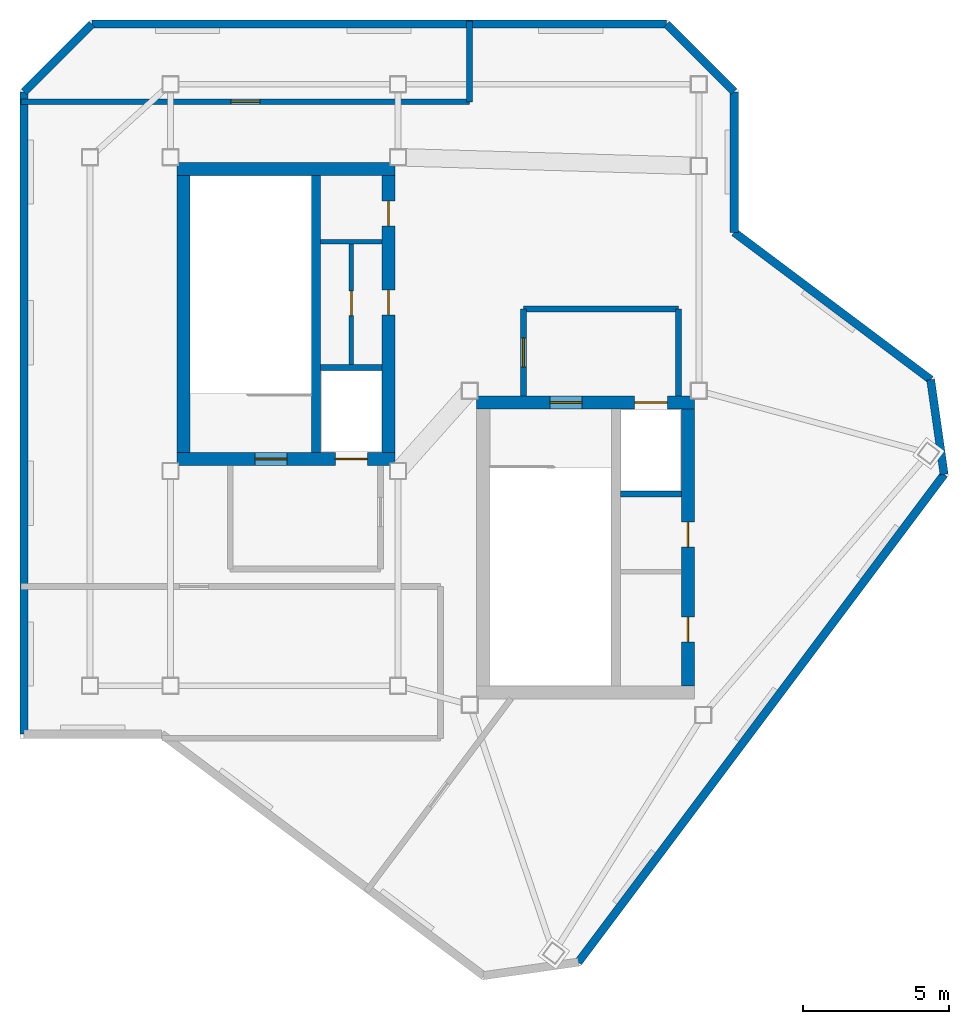
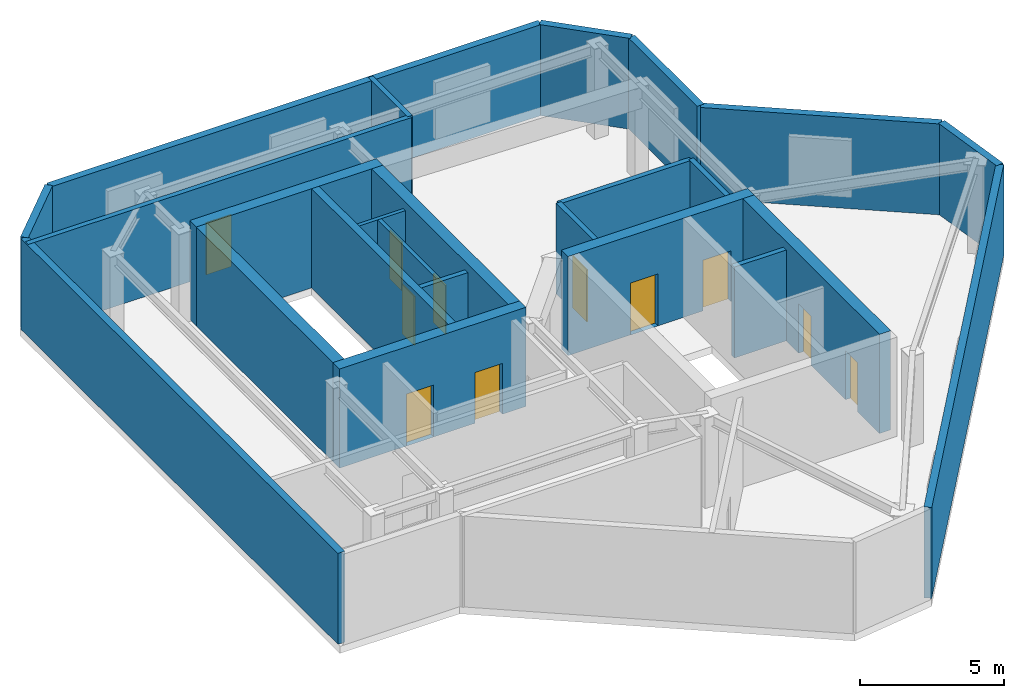
# One storey, part 2 of 3: 24 walls, 11 doors, 11 openings.
"""IFC4 building model written with IfcOpenShell, lengths in metres."""

from ifc_helpers import new_model, si_unit, direction, frame, frame_2d, origin, place, context, subcontext, project, spatial, rectangle, extrude, material, layer, layer_set, type_object, element, fill, save


model = new_model("IFC4")

# Units and contexts
model_context = context("Model", 3, precision=1e-05, world=origin(), true_north=direction((0.0, 1.0)))
body_context = subcontext(model_context, "Body", "Model", "MODEL_VIEW")
ifc_project = project(units=[si_unit("LENGTHUNIT", "METRE"), si_unit("AREAUNIT", "SQUARE_METRE"), si_unit("VOLUMEUNIT", "CUBIC_METRE"), si_unit("PLANEANGLEUNIT", "RADIAN"), si_unit("MASSUNIT", "GRAM", prefix="KILO")], contexts=[model_context])

# Site, building, storey
site_placement = place(None, origin())
site = spatial("IfcSite", under=ifc_project, at=site_placement, CompositionType="ELEMENT")
building_placement = place(site_placement, origin())
building = spatial("IfcBuilding", under=site, at=building_placement, Name="Hatsunagi Terrace Concourse", CompositionType="ELEMENT")
storey_placement = place(building_placement, frame((0.0, 0.0, 289.949951171875)))
storey = spatial("IfcBuildingStorey", under=building, at=storey_placement, Name="L76", CompositionType="ELEMENT", Elevation=289.949951171875)

# Wall, openings, doors
ifc_material_1 = material(Name="Concrete Fc42", Category="concrete")
ifc_layer_1 = layer(ifc_material_1, 0.449951171875)
ifc_layer_set_1 = layer_set([ifc_layer_1], Name="CoreShearWall_Fc42_450")
wall_type_1 = type_object("IfcWallType", Name="CoreShearWall_Fc42_450", PredefinedType="SHEAR", material=ifc_layer_set_1)
wall_1_placement = place(storey_placement, frame((25.77001953125, 32.965087890625, 0.0), z_axis=(0.0, 0.0, 1.0), x_axis=(1.0, 0.0, 0.0)))
wall_1 = element("IfcWall", 1, at=wall_1_placement, inside=storey, type_object=wall_type_1, Name="Core A Shear Wall S L76", PredefinedType="SHEAR", context=body_context, shape_type="SweptSolid", body=[
    extrude(rectangle(XDim=7.47998046875, YDim=0.449951171875, at=frame_2d((3.739990234375, 0.0))), origin(), (0.0, 0.0, 1.0), 4.199951171875),
])
opening_1_placement = place(wall_1_placement, frame((2.679931640625, 0.0, 0.0)))
opening_1 = element("IfcOpeningElement", 2, at=opening_1_placement, cuts=wall_1, Name="Opening DR-110S", PredefinedType="OPENING", context=body_context, shape_type="SweptSolid", body=[
    extrude(rectangle(XDim=1.10009765625, YDim=2.199951171875, at=frame_2d((0.550048828125, 1.10009765625))), frame((0.0, 0.23486328125, 0.0), z_axis=(0.0, -1.0, 0.0), x_axis=(1.0, 0.0, 0.0)), (0.0, 0.0, 1.0), 0.469970703125),
])
opening_2_placement = place(wall_1_placement, frame((5.429931640625, 0.0, 0.0)))
opening_2 = element("IfcOpeningElement", 3, at=opening_2_placement, cuts=wall_1, Name="Opening LD-01", PredefinedType="OPENING", context=body_context, shape_type="SweptSolid", body=[
    extrude(rectangle(XDim=1.10009765625, YDim=2.14990234375, at=frame_2d((0.550048828125, 1.074951171875))), frame((0.0, 0.23486328125, 0.0), z_axis=(0.0, -1.0, 0.0), x_axis=(1.0, 0.0, 0.0)), (0.0, 0.0, 1.0), 0.469970703125),
])
ifc_material_2 = material(Name="Stainless steel", Category="steel")
door_type_1 = type_object("IfcDoorType", Name="LiftLandingDoor_LD01", OperationType="SLIDING_TO_LEFT", PredefinedType="USERDEFINED", material=ifc_material_2)
door_1_placement = place(opening_2_placement, origin())
door_1 = element("IfcDoor", 4, at=door_1_placement, inside=storey, type_object=door_type_1, Name="Lift landing door FF-01 L76", ObjectType="SLIDING_LANDING_DOOR", OperationType="SLIDING_TO_LEFT", OverallHeight=2.14990234375, OverallWidth=1.10009765625, PredefinedType="USERDEFINED", context=body_context, shape_type="SweptSolid", body=[
    extrude(rectangle(XDim=1.10009765625, YDim=2.14990234375, at=frame_2d((0.550048828125, 1.074951171875))), frame((0.0, 0.02490234375, 0.0), z_axis=(0.0, -1.0, 0.0), x_axis=(1.0, 0.0, 0.0)), (0.0, 0.0, 1.0), 0.050048828125),
])
fill(opening_2, door_1)
ifc_material_3 = material(Name="Painted steel", Category="steel")
door_type_2 = type_object("IfcDoorType", Name="StairFireDoor_EI60_1100", OperationType="NOTDEFINED", PredefinedType="DOOR", material=ifc_material_3)
door_2_placement = place(opening_1_placement, origin())
door_2 = element("IfcDoor", 5, at=door_2_placement, inside=storey, type_object=door_type_2, Name="Stair ST-A Exit Door L76", OperationType="SINGLE_SWING_LEFT", OverallHeight=2.199951171875, OverallWidth=1.10009765625, PredefinedType="DOOR", context=body_context, shape_type="SweptSolid", body=[
    extrude(rectangle(XDim=1.10009765625, YDim=2.199951171875, at=frame_2d((0.550048828125, 1.10009765625))), frame((0.0, 0.02490234375, 0.0), z_axis=(0.0, -1.0, 0.0), x_axis=(1.0, 0.0, 0.0)), (0.0, 0.0, 1.0), 0.050048828125),
])
fill(opening_1, door_2)

# Walls
wall_2_placement = place(storey_placement, frame((25.77001953125, 42.89501953125, 0.0), z_axis=(0.0, 0.0, 1.0), x_axis=(1.0, 0.0, 0.0)))
element("IfcWall", 6, at=wall_2_placement, inside=storey, type_object=wall_type_1, Name="Core A Shear Wall N L76", PredefinedType="SHEAR", context=body_context, shape_type="SweptSolid", body=[
    extrude(rectangle(XDim=7.47998046875, YDim=0.449951171875, at=frame_2d((3.739990234375, 0.0))), origin(), (0.0, 0.0, 1.0), 4.199951171875),
])
wall_3_placement = place(storey_placement, frame((25.9951171875, 33.18994140625, 0.0), z_axis=(0.0, 0.0, 1.0), x_axis=(0.0, 1.0, 0.0)))
element("IfcWall", 7, at=wall_3_placement, inside=storey, type_object=wall_type_1, Name="Core A Shear Wall W L76", PredefinedType="SHEAR", context=body_context, shape_type="SweptSolid", body=[
    extrude(rectangle(XDim=9.47998046875, YDim=0.449951171875, at=frame_2d((4.739990234375, 0.0))), origin(), (0.0, 0.0, 1.0), 4.199951171875),
])

# Wall, openings, doors
wall_4_placement = place(storey_placement, frame((33.02490234375, 33.18994140625, 0.0), z_axis=(0.0, 0.0, 1.0), x_axis=(0.0, 1.0, 0.0)))
wall_4 = element("IfcWall", 8, at=wall_4_placement, inside=storey, type_object=wall_type_1, Name="Core A Shear Wall E L76", PredefinedType="SHEAR", context=body_context, shape_type="SweptSolid", body=[
    extrude(rectangle(XDim=9.47998046875, YDim=0.449951171875, at=frame_2d((4.739990234375, 0.0))), origin(), (0.0, 0.0, 1.0), 4.199951171875),
])
opening_3_placement = place(wall_4_placement, frame((4.7099609375, 0.0, 0.0)))
opening_3 = element("IfcOpeningElement", 9, at=opening_3_placement, cuts=wall_4, Name="Opening DR-085", PredefinedType="OPENING", context=body_context, shape_type="SweptSolid", body=[
    extrude(rectangle(XDim=0.85009765625, YDim=2.080078125, at=frame_2d((0.425048828125, 1.0400390625))), frame((0.0, 0.23486328125, 0.0), z_axis=(0.0, -1.0, 0.0), x_axis=(1.0, 0.0, 0.0)), (0.0, 0.0, 1.0), 0.469970703125),
])
opening_4_placement = place(wall_4_placement, frame((7.760009765625, 0.0, 0.0)))
opening_4 = element("IfcOpeningElement", 10, at=opening_4_placement, cuts=wall_4, Name="Opening DR-085", PredefinedType="OPENING", context=body_context, shape_type="SweptSolid", body=[
    extrude(rectangle(XDim=0.85009765625, YDim=2.080078125, at=frame_2d((0.425048828125, 1.0400390625))), frame((0.0, 0.23486328125, 0.0), z_axis=(0.0, -1.0, 0.0), x_axis=(1.0, 0.0, 0.0)), (0.0, 0.0, 1.0), 0.469970703125),
])
ifc_material_4 = material(Name="Painted steel", Category="steel")
door_type_3 = type_object("IfcDoorType", Name="RiserAccessDoor_EI60_850", OperationType="NOTDEFINED", PredefinedType="DOOR", material=ifc_material_4)
door_3_placement = place(opening_3_placement, origin())
door_3 = element("IfcDoor", 11, at=door_3_placement, inside=storey, type_object=door_type_3, Name="Core A Riser Door L76-1", OperationType="SINGLE_SWING_LEFT", OverallHeight=2.080078125, OverallWidth=0.85009765625, PredefinedType="DOOR", context=body_context, shape_type="SweptSolid", body=[
    extrude(rectangle(XDim=0.85009765625, YDim=2.080078125, at=frame_2d((0.425048828125, 1.0400390625))), frame((0.0, 0.02490234375, 0.0), z_axis=(0.0, -1.0, 0.0), x_axis=(1.0, 0.0, 0.0)), (0.0, 0.0, 1.0), 0.050048828125),
])
fill(opening_3, door_3)
door_4_placement = place(opening_4_placement, origin())
door_4 = element("IfcDoor", 12, at=door_4_placement, inside=storey, type_object=door_type_3, Name="Core A Riser Door L76-2", OperationType="SINGLE_SWING_LEFT", OverallHeight=2.080078125, OverallWidth=0.85009765625, PredefinedType="DOOR", context=body_context, shape_type="SweptSolid", body=[
    extrude(rectangle(XDim=0.85009765625, YDim=2.080078125, at=frame_2d((0.425048828125, 1.0400390625))), frame((0.0, 0.02490234375, 0.0), z_axis=(0.0, -1.0, 0.0), x_axis=(1.0, 0.0, 0.0)), (0.0, 0.0, 1.0), 0.050048828125),
])
fill(opening_4, door_4)

wall_5_placement = place(storey_placement, frame((36.0400390625, 34.89501953125, 0.0), z_axis=(0.0, 0.0, 1.0), x_axis=(1.0, 0.0, 0.0)))
wall_5 = element("IfcWall", 13, at=wall_5_placement, inside=storey, type_object=wall_type_1, Name="Core B Shear Wall N L76", PredefinedType="SHEAR", context=body_context, shape_type="SweptSolid", body=[
    extrude(rectangle(XDim=7.4599609375, YDim=0.449951171875, at=frame_2d((3.72998046875, 0.0))), origin(), (0.0, 0.0, 1.0), 4.199951171875),
])
opening_5_placement = place(wall_5_placement, frame((2.510009765625, 0.0, 0.0)))
opening_5 = element("IfcOpeningElement", 14, at=opening_5_placement, cuts=wall_5, Name="Opening DR-110S", PredefinedType="OPENING", context=body_context, shape_type="SweptSolid", body=[
    extrude(rectangle(XDim=1.10009765625, YDim=2.199951171875, at=frame_2d((0.550048828125, 1.10009765625))), frame((0.0, 0.23486328125, 0.0), z_axis=(0.0, -1.0, 0.0), x_axis=(1.0, 0.0, 0.0)), (0.0, 0.0, 1.0), 0.469970703125),
])
opening_6_placement = place(wall_5_placement, frame((5.409912109375, 0.0, 0.0)))
opening_6 = element("IfcOpeningElement", 15, at=opening_6_placement, cuts=wall_5, Name="Opening LD-02", PredefinedType="OPENING", context=body_context, shape_type="SweptSolid", body=[
    extrude(rectangle(XDim=1.1201171875, YDim=2.14990234375, at=frame_2d((0.56005859375, 1.074951171875))), frame((0.0, 0.23486328125, 0.0), z_axis=(0.0, -1.0, 0.0), x_axis=(1.0, 0.0, 0.0)), (0.0, 0.0, 1.0), 0.469970703125),
])
ifc_material_5 = material(Name="Stainless steel", Category="steel")
door_type_4 = type_object("IfcDoorType", Name="LiftLandingDoor_LD02", OperationType="SLIDING_TO_RIGHT", PredefinedType="USERDEFINED", material=ifc_material_5)
door_5_placement = place(opening_6_placement, origin())
door_5 = element("IfcDoor", 16, at=door_5_placement, inside=storey, type_object=door_type_4, Name="Lift landing door FF-02 L76", ObjectType="SLIDING_LANDING_DOOR", OperationType="SLIDING_TO_RIGHT", OverallHeight=2.14990234375, OverallWidth=1.1201171875, PredefinedType="USERDEFINED", context=body_context, shape_type="SweptSolid", body=[
    extrude(rectangle(XDim=1.1201171875, YDim=2.14990234375, at=frame_2d((0.56005859375, 1.074951171875))), frame((0.0, 0.02490234375, 0.0), z_axis=(0.0, -1.0, 0.0), x_axis=(1.0, 0.0, 0.0)), (0.0, 0.0, 1.0), 0.050048828125),
])
fill(opening_6, door_5)
door_6_placement = place(opening_5_placement, origin())
door_6 = element("IfcDoor", 17, at=door_6_placement, inside=storey, type_object=door_type_2, Name="Stair ST-B Exit Door L76", OperationType="SINGLE_SWING_RIGHT", OverallHeight=2.199951171875, OverallWidth=1.10009765625, PredefinedType="DOOR", context=body_context, shape_type="SweptSolid", body=[
    extrude(rectangle(XDim=1.10009765625, YDim=2.199951171875, at=frame_2d((0.550048828125, 1.10009765625))), frame((0.0, 0.02490234375, 0.0), z_axis=(0.0, -1.0, 0.0), x_axis=(1.0, 0.0, 0.0)), (0.0, 0.0, 1.0), 0.050048828125),
])
fill(opening_5, door_6)

wall_6_placement = place(storey_placement, frame((43.27490234375, 25.18994140625, 0.0), z_axis=(0.0, 0.0, 1.0), x_axis=(0.0, 1.0, 0.0)))
wall_6 = element("IfcWall", 18, at=wall_6_placement, inside=storey, type_object=wall_type_1, Name="Core B Shear Wall E L76", PredefinedType="SHEAR", context=body_context, shape_type="SweptSolid", body=[
    extrude(rectangle(XDim=9.47998046875, YDim=0.449951171875, at=frame_2d((4.739990234375, 0.0))), origin(), (0.0, 0.0, 1.0), 4.199951171875),
])
opening_7_placement = place(wall_6_placement, frame((1.510009765625, 0.0, 0.0)))
opening_7 = element("IfcOpeningElement", 19, at=opening_7_placement, cuts=wall_6, Name="Opening DR-085", PredefinedType="OPENING", context=body_context, shape_type="SweptSolid", body=[
    extrude(rectangle(XDim=0.85009765625, YDim=2.080078125, at=frame_2d((0.425048828125, 1.0400390625))), frame((0.0, 0.23486328125, 0.0), z_axis=(0.0, -1.0, 0.0), x_axis=(1.0, 0.0, 0.0)), (0.0, 0.0, 1.0), 0.469970703125),
])
opening_8_placement = place(wall_6_placement, frame((4.760009765625, 0.0, 0.0)))
opening_8 = element("IfcOpeningElement", 20, at=opening_8_placement, cuts=wall_6, Name="Opening DR-085", PredefinedType="OPENING", context=body_context, shape_type="SweptSolid", body=[
    extrude(rectangle(XDim=0.85009765625, YDim=2.080078125, at=frame_2d((0.425048828125, 1.0400390625))), frame((0.0, 0.23486328125, 0.0), z_axis=(0.0, -1.0, 0.0), x_axis=(1.0, 0.0, 0.0)), (0.0, 0.0, 1.0), 0.469970703125),
])
door_7_placement = place(opening_7_placement, origin())
door_7 = element("IfcDoor", 21, at=door_7_placement, inside=storey, type_object=door_type_3, Name="Core B Riser Door L76-1", OperationType="SINGLE_SWING_RIGHT", OverallHeight=2.080078125, OverallWidth=0.85009765625, PredefinedType="DOOR", context=body_context, shape_type="SweptSolid", body=[
    extrude(rectangle(XDim=0.85009765625, YDim=2.080078125, at=frame_2d((0.425048828125, 1.0400390625))), frame((0.0, 0.02490234375, 0.0), z_axis=(0.0, -1.0, 0.0), x_axis=(1.0, 0.0, 0.0)), (0.0, 0.0, 1.0), 0.050048828125),
])
fill(opening_7, door_7)
door_8_placement = place(opening_8_placement, origin())
door_8 = element("IfcDoor", 22, at=door_8_placement, inside=storey, type_object=door_type_3, Name="Core B Riser Door L76-2", OperationType="SINGLE_SWING_RIGHT", OverallHeight=2.080078125, OverallWidth=0.85009765625, PredefinedType="DOOR", context=body_context, shape_type="SweptSolid", body=[
    extrude(rectangle(XDim=0.85009765625, YDim=2.080078125, at=frame_2d((0.425048828125, 1.0400390625))), frame((0.0, 0.02490234375, 0.0), z_axis=(0.0, -1.0, 0.0), x_axis=(1.0, 0.0, 0.0)), (0.0, 0.0, 1.0), 0.050048828125),
])
fill(opening_8, door_8)

# Wall
ifc_material_6 = material(Name="Concrete Fc48", Category="concrete")
ifc_layer_2 = layer(ifc_material_6, 0.300048828125)
ifc_layer_set_2 = layer_set([ifc_layer_2], Name="CoreStairDivider_Fc48_300")
wall_type_2 = type_object("IfcWallType", Name="CoreStairDivider_Fc48_300", PredefinedType="SHEAR", material=ifc_layer_set_2)
wall_7_placement = place(storey_placement, frame((30.5400390625, 33.18994140625, 0.0), z_axis=(0.0, 0.0, 1.0), x_axis=(0.0, 1.0, 0.0)))
element("IfcWall", 23, at=wall_7_placement, inside=storey, type_object=wall_type_2, Name="Core A Shear Wall D L76", PredefinedType="SHEAR", context=body_context, shape_type="SweptSolid", body=[
    extrude(rectangle(XDim=9.47998046875, YDim=0.300048828125, at=frame_2d((4.739990234375, 0.0))), origin(), (0.0, 0.0, 1.0), 4.199951171875),
])

# Wall, opening, door
ifc_material_7 = material(Name="Acoustic mineral board", Category="gypsum")
ifc_layer_3 = layer(ifc_material_7, 0.14990234375)
ifc_layer_set_3 = layer_set([ifc_layer_3], Name="PartitionWall_EI60_150")
wall_type_3 = type_object("IfcWallType", Name="PartitionWall_EI60_150", PredefinedType="PARTITIONING", material=ifc_layer_set_3)
wall_8_placement = place(storey_placement, frame((31.75, 36.179931640625, 0.0), z_axis=(0.0, 0.0, 1.0), x_axis=(0.0, 1.0, 0.0)))
wall_8 = element("IfcWall", 24, at=wall_8_placement, inside=storey, type_object=wall_type_3, Name="Interior Partition IW-L76-002", PredefinedType="PARTITIONING", context=body_context, shape_type="SweptSolid", body=[
    extrude(rectangle(XDim=4.239990234375, YDim=0.14990234375, at=frame_2d((2.1201171875, 0.0))), origin(), (0.0, 0.0, 1.0), 3.85009765625),
])
opening_9_placement = place(wall_8_placement, frame((1.695068359375, 0.0, 0.0)))
opening_9 = element("IfcOpeningElement", 25, at=opening_9_placement, cuts=wall_8, Name="Opening DR-085", PredefinedType="OPENING", context=body_context, shape_type="SweptSolid", body=[
    extrude(rectangle(XDim=0.85009765625, YDim=2.080078125, at=frame_2d((0.425048828125, 1.0400390625))), frame((0.0, 0.0849609375, 0.0), z_axis=(0.0, -1.0, 0.0), x_axis=(1.0, 0.0, 0.0)), (0.0, 0.0, 1.0), 0.169921875),
])
door_9_placement = place(opening_9_placement, origin())
door_9 = element("IfcDoor", 26, at=door_9_placement, inside=storey, type_object=door_type_3, Name="Core A Sub-Riser Door L76", OperationType="SINGLE_SWING_LEFT", OverallHeight=2.080078125, OverallWidth=0.85009765625, PredefinedType="DOOR", context=body_context, shape_type="SweptSolid", body=[
    extrude(rectangle(XDim=0.85009765625, YDim=2.080078125, at=frame_2d((0.425048828125, 1.0400390625))), frame((0.0, 0.02490234375, 0.0), z_axis=(0.0, -1.0, 0.0), x_axis=(1.0, 0.0, 0.0)), (0.0, 0.0, 1.0), 0.050048828125),
])
fill(opening_9, door_9)

# Walls
wall_9_placement = place(storey_placement, frame((30.699951171875, 40.39990234375, 0.0), z_axis=(0.0, 0.0, 1.0), x_axis=(1.0, 0.0, 0.0)))
element("IfcWall", 27, at=wall_9_placement, inside=storey, type_object=wall_type_3, Name="Interior Partition IW-L76-003", PredefinedType="PARTITIONING", context=body_context, shape_type="SweptSolid", body=[
    extrude(rectangle(XDim=2.10009765625, YDim=0.14990234375, at=frame_2d((1.050048828125, 0.0))), origin(), (0.0, 0.0, 1.0), 3.85009765625),
])
ifc_material_8 = material(Name="Acoustic mineral board", Category="gypsum")
ifc_layer_4 = layer(ifc_material_8, 0.199951171875)
ifc_layer_set_4 = layer_set([ifc_layer_4], Name="ShaftWall_EI120_200")
wall_type_4 = type_object("IfcWallType", Name="ShaftWall_EI120_200", PredefinedType="STANDARD", material=ifc_layer_set_4)
wall_10_placement = place(storey_placement, frame((30.699951171875, 36.10009765625, 0.0), z_axis=(0.0, 0.0, 1.0), x_axis=(1.0, 0.0, 0.0)))
element("IfcWall", 28, at=wall_10_placement, inside=storey, type_object=wall_type_4, Name="Interior Partition IW-L76-001", PredefinedType="STANDARD", context=body_context, shape_type="SweptSolid", body=[
    extrude(rectangle(XDim=2.10009765625, YDim=0.199951171875, at=frame_2d((1.050048828125, 0.0))), origin(), (0.0, 0.0, 1.0), 3.85009765625),
])
wall_11_placement = place(storey_placement, frame((40.969970703125, 31.760009765625, 0.0), z_axis=(0.0, 0.0, 1.0), x_axis=(1.0, 0.0, 0.0)))
element("IfcWall", 29, at=wall_11_placement, inside=storey, type_object=wall_type_4, Name="Interior Partition IW-L76-004", PredefinedType="STANDARD", context=body_context, shape_type="SweptSolid", body=[
    extrude(rectangle(XDim=2.080078125, YDim=0.199951171875, at=frame_2d((1.0400390625, 0.0))), origin(), (0.0, 0.0, 1.0), 3.85009765625),
])
wall_12_placement = place(storey_placement, frame((37.64990234375, 38.10009765625, 0.0), z_axis=(0.0, 0.0, 1.0), x_axis=(1.0, 0.0, 0.0)))
element("IfcWall", 30, at=wall_12_placement, inside=storey, type_object=wall_type_4, Name="Interior Partition IW-L76-009", PredefinedType="STANDARD", context=body_context, shape_type="SweptSolid", body=[
    extrude(rectangle(XDim=5.300048828125, YDim=0.199951171875, at=frame_2d((2.64990234375, 0.0))), origin(), (0.0, 0.0, 1.0), 3.85009765625),
])
wall_13_placement = place(storey_placement, frame((42.949951171875, 35.1201171875, 0.0), z_axis=(0.0, 0.0, 1.0), x_axis=(0.0, 1.0, 0.0)))
element("IfcWall", 31, at=wall_13_placement, inside=storey, type_object=wall_type_4, Name="Interior Partition IW-L76-010", PredefinedType="STANDARD", context=body_context, shape_type="SweptSolid", body=[
    extrude(rectangle(XDim=2.97998046875, YDim=0.199951171875, at=frame_2d((1.489990234375, 0.0))), origin(), (0.0, 0.0, 1.0), 3.85009765625),
])

# Wall, opening, door
wall_14_placement = place(storey_placement, frame((37.64990234375, 35.1201171875, 0.0), z_axis=(0.0, 0.0, 1.0), x_axis=(0.0, 1.0, 0.0)))
wall_14 = element("IfcWall", 32, at=wall_14_placement, inside=storey, type_object=wall_type_4, Name="Interior Partition IW-L76-011", PredefinedType="STANDARD", context=body_context, shape_type="SweptSolid", body=[
    extrude(rectangle(XDim=2.97998046875, YDim=0.199951171875, at=frame_2d((1.489990234375, 0.0))), origin(), (0.0, 0.0, 1.0), 3.85009765625),
])
opening_10_placement = place(wall_14_placement, frame((0.989990234375, 0.0, 0.0)))
opening_10 = element("IfcOpeningElement", 33, at=opening_10_placement, cuts=wall_14, Name="Opening DR-100F", PredefinedType="OPENING", context=body_context, shape_type="SweptSolid", body=[
    extrude(rectangle(XDim=1.0, YDim=2.199951171875, at=frame_2d((0.5, 1.10009765625))), frame((0.0, 0.10986328125, 0.0), z_axis=(0.0, -1.0, 0.0), x_axis=(1.0, 0.0, 0.0)), (0.0, 0.0, 1.0), 0.219970703125),
])
ifc_material_9 = material(Name="Painted steel", Category="steel")
door_type_5 = type_object("IfcDoorType", Name="FireDoor_EI60_1000", OperationType="NOTDEFINED", PredefinedType="DOOR", material=ifc_material_9)
door_10_placement = place(opening_10_placement, origin())
door_10 = element("IfcDoor", 34, at=door_10_placement, inside=storey, type_object=door_type_5, Name="Firefighting Lobby B Door L76", OperationType="SINGLE_SWING_RIGHT", OverallHeight=2.199951171875, OverallWidth=1.0, PredefinedType="DOOR", context=body_context, shape_type="SweptSolid", body=[
    extrude(rectangle(XDim=1.0, YDim=2.199951171875, at=frame_2d((0.5, 1.10009765625))), frame((0.0, 0.02490234375, 0.0), z_axis=(0.0, -1.0, 0.0), x_axis=(1.0, 0.0, 0.0)), (0.0, 0.0, 1.0), 0.050048828125),
])
fill(opening_10, door_10)

wall_15_placement = place(storey_placement, frame((20.43994140625, 45.199951171875, 0.0), z_axis=(0.0, 0.0, 1.0), x_axis=(1.0, 0.0, 0.0)))
wall_15 = element("IfcWall", 35, at=wall_15_placement, inside=storey, type_object=wall_type_4, Name="Interior Partition IW-L76-012", PredefinedType="STANDARD", context=body_context, shape_type="SweptSolid", body=[
    extrude(rectangle(XDim=15.360107421875, YDim=0.199951171875, at=frame_2d((7.68017578125, 0.0))), origin(), (0.0, 0.0, 1.0), 3.85009765625),
])
opening_11_placement = place(wall_15_placement, frame((7.179931640625, 0.0, 0.0)))
opening_11 = element("IfcOpeningElement", 36, at=opening_11_placement, cuts=wall_15, Name="Opening DR-100F", PredefinedType="OPENING", context=body_context, shape_type="SweptSolid", body=[
    extrude(rectangle(XDim=1.0, YDim=2.199951171875, at=frame_2d((0.5, 1.10009765625))), frame((0.0, 0.10986328125, 0.0), z_axis=(0.0, -1.0, 0.0), x_axis=(1.0, 0.0, 0.0)), (0.0, 0.0, 1.0), 0.219970703125),
])
door_11_placement = place(opening_11_placement, origin())
door_11 = element("IfcDoor", 37, at=door_11_placement, inside=storey, type_object=door_type_5, Name="Air Handling Plant Room L76-AHU Door", OperationType="SINGLE_SWING_RIGHT", OverallHeight=2.199951171875, OverallWidth=1.0, PredefinedType="DOOR", context=body_context, shape_type="SweptSolid", body=[
    extrude(rectangle(XDim=1.0, YDim=2.199951171875, at=frame_2d((0.5, 1.10009765625))), frame((0.0, 0.02490234375, 0.0), z_axis=(0.0, -1.0, 0.0), x_axis=(1.0, 0.0, 0.0)), (0.0, 0.0, 1.0), 0.050048828125),
])
fill(opening_11, door_11)

# Walls
wall_16_placement = place(storey_placement, frame((35.800048828125, 45.199951171875, 0.0), z_axis=(0.0, 0.0, 1.0), x_axis=(0.0, 1.0, 0.0)))
element("IfcWall", 38, at=wall_16_placement, inside=storey, type_object=wall_type_4, Name="Interior Partition IW-L76-013", PredefinedType="STANDARD", context=body_context, shape_type="SweptSolid", body=[
    extrude(rectangle(XDim=2.760009765625, YDim=0.199951171875, at=frame_2d((1.3798828125, 0.0))), origin(), (0.0, 0.0, 1.0), 3.85009765625),
])
ifc_material_10 = material(Name="Autoclaved Lightweight Concrete and Terracotta Cladding", Category="masonry")
ifc_layer_5 = layer(ifc_material_10, 0.280029296875)
ifc_layer_set_5 = layer_set([ifc_layer_5], Name="TerracottaSpandrelWall_280")
wall_type_5 = type_object("IfcWallType", Name="TerracottaSpandrelWall_280", PredefinedType="STANDARD", material=ifc_layer_set_5)
wall_17_placement = place(storey_placement, frame((44.860107421875, 40.72998046875, 0.0), z_axis=(0.0, 0.0, 1.0), x_axis=(0.800034825678, -0.599953562955, 0.0)))
element("IfcWall", 39, at=wall_17_placement, inside=storey, type_object=wall_type_5, Name="Exterior Spandrel Wall EW-L76-01", PredefinedType="STANDARD", context=body_context, shape_type="SweptSolid", body=[
    extrude(rectangle(XDim=8.412109375, YDim=0.280029296875, at=frame_2d((4.2060546875, 0.0))), origin(), (0.0, 0.0, 1.0), 3.85009765625),
])
wall_18_placement = place(storey_placement, frame((51.590087890625, 35.68310546875, 0.0), z_axis=(0.0, 0.0, 1.0), x_axis=(0.141212810973, -0.989979263428, 0.0)))
element("IfcWall", 40, at=wall_18_placement, inside=storey, type_object=wall_type_5, Name="Exterior Spandrel Wall EW-L76-02", PredefinedType="STANDARD", context=body_context, shape_type="SweptSolid", body=[
    extrude(rectangle(XDim=3.278076171875, YDim=0.280029296875, at=frame_2d((1.63916015625, 0.0))), origin(), (0.0, 0.0, 1.0), 3.85009765625),
])
wall_19_placement = place(storey_placement, frame((52.052978515625, 32.43798828125, 0.0), z_axis=(0.0, 0.0, 1.0), x_axis=(-0.599970072971, -0.800022444397, 0.0)))
element("IfcWall", 41, at=wall_19_placement, inside=storey, type_object=wall_type_5, Name="Exterior Spandrel Wall EW-L76-03", PredefinedType="STANDARD", context=body_context, shape_type="SweptSolid", body=[
    extrude(rectangle(XDim=20.884521484375, YDim=0.280029296875, at=frame_2d((10.4423828125, 0.0))), origin(), (0.0, 0.0, 1.0), 3.85009765625),
])
wall_20_placement = place(storey_placement, frame((20.5400390625, 23.5400390625, 0.0), z_axis=(0.0, 0.0, 1.0), x_axis=(0.0, 1.0, 0.0)))
element("IfcWall", 42, at=wall_20_placement, inside=storey, type_object=wall_type_5, Name="Exterior Spandrel Wall EW-L76-07", PredefinedType="STANDARD", context=body_context, shape_type="SweptSolid", body=[
    extrude(rectangle(XDim=22.001953125, YDim=0.280029296875, at=frame_2d((11.0009765625, 0.0))), origin(), (0.0, 0.0, 1.0), 3.85009765625),
])
wall_21_placement = place(storey_placement, frame((20.5400390625, 45.5419921875, 0.0), z_axis=(0.0, 0.0, 1.0), x_axis=(0.707069542501, 0.707144017911, 0.0)))
element("IfcWall", 43, at=wall_21_placement, inside=storey, type_object=wall_type_5, Name="Exterior Spandrel Wall EW-L76-08", PredefinedType="STANDARD", context=body_context, shape_type="SweptSolid", body=[
    extrude(rectangle(XDim=3.278076171875, YDim=0.280029296875, at=frame_2d((1.63916015625, 0.0))), origin(), (0.0, 0.0, 1.0), 3.85009765625),
])
wall_22_placement = place(storey_placement, frame((22.85791015625, 47.860107421875, 0.0), z_axis=(0.0, 0.0, 1.0), x_axis=(1.0, 0.0, 0.0)))
element("IfcWall", 44, at=wall_22_placement, inside=storey, type_object=wall_type_5, Name="Exterior Spandrel Wall EW-L76-09", PredefinedType="STANDARD", context=body_context, shape_type="SweptSolid", body=[
    extrude(rectangle(XDim=19.68408203125, YDim=0.280029296875, at=frame_2d((9.842041015625, 0.0))), origin(), (0.0, 0.0, 1.0), 3.85009765625),
])
wall_23_placement = place(storey_placement, frame((42.5419921875, 47.860107421875, 0.0), z_axis=(0.0, 0.0, 1.0), x_axis=(0.707106781187, -0.707106781187, 0.0)))
element("IfcWall", 45, at=wall_23_placement, inside=storey, type_object=wall_type_5, Name="Exterior Spandrel Wall EW-L76-10", PredefinedType="STANDARD", context=body_context, shape_type="SweptSolid", body=[
    extrude(rectangle(XDim=3.2783203125, YDim=0.280029296875, at=frame_2d((1.63916015625, 0.0))), origin(), (0.0, 0.0, 1.0), 3.85009765625),
])
wall_24_placement = place(storey_placement, frame((44.860107421875, 45.5419921875, 0.0), z_axis=(0.0, 0.0, 1.0), x_axis=(0.0, -1.0, 0.0)))
element("IfcWall", 46, at=wall_24_placement, inside=storey, type_object=wall_type_5, Name="Exterior Spandrel Wall EW-L76-11", PredefinedType="STANDARD", context=body_context, shape_type="SweptSolid", body=[
    extrude(rectangle(XDim=4.81201171875, YDim=0.280029296875, at=frame_2d((2.406005859375, 0.0))), origin(), (0.0, 0.0, 1.0), 3.85009765625),
])

save(model, "model.ifc")
